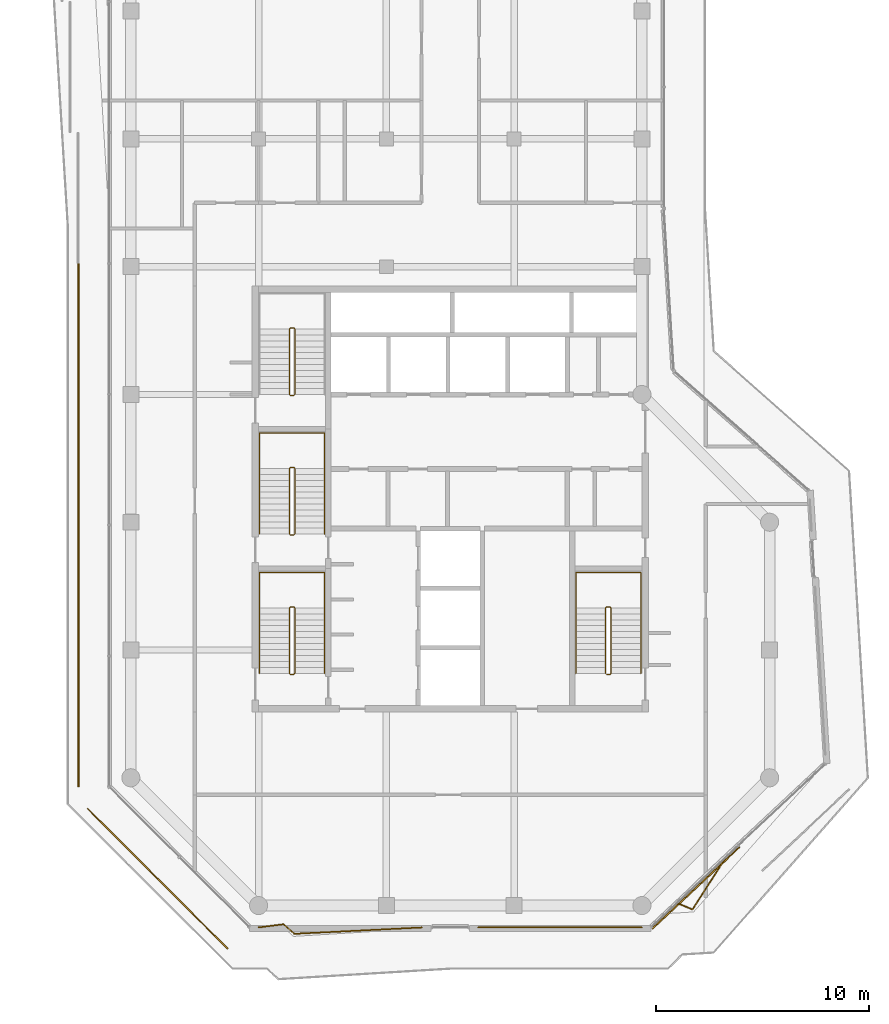
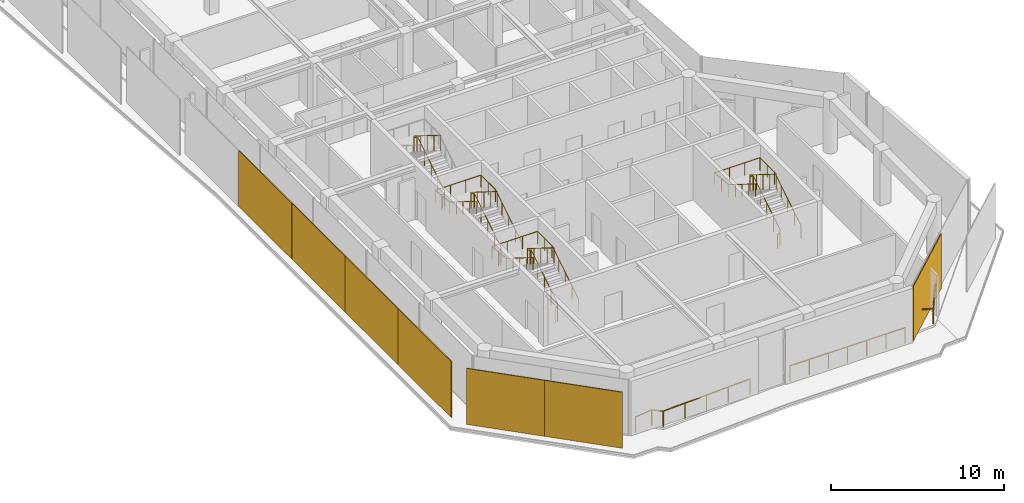
# One storey, part 20 of 21: 10 railings, 7 coverings.
"""IFC4 building model written with IfcOpenShell, lengths in metres."""

from ifc_helpers import new_model, si_unit, direction, frame, origin, origin_2d, place, context, subcontext, project, spatial, rectangle, circle, extrude, material, layer, layer_set, type_object, element, save


model = new_model("IFC4")

# Units and contexts
model_context = context("Model", 3, precision=1e-05, world=origin(), true_north=direction((0.0, 1.0)))
body_context = subcontext(model_context, "Body", "Model", "MODEL_VIEW")
ifc_project = project(units=[si_unit("LENGTHUNIT", "METRE"), si_unit("AREAUNIT", "SQUARE_METRE"), si_unit("VOLUMEUNIT", "CUBIC_METRE"), si_unit("PLANEANGLEUNIT", "RADIAN"), si_unit("MASSUNIT", "GRAM", prefix="KILO")], contexts=[model_context])

# Site, building, storey
site_placement = place(None, origin())
site = spatial("IfcSite", under=ifc_project, at=site_placement, CompositionType="ELEMENT")
building_placement = place(site_placement, origin())
building = spatial("IfcBuilding", under=site, at=building_placement, Name="Welwitschia Terrace Campus", CompositionType="ELEMENT")
storey_placement = place(building_placement, frame((0.0, 0.0, 302.0)))
storey = spatial("IfcBuildingStorey", under=building, at=storey_placement, Name="L67", CompositionType="ELEMENT", Elevation=302.0)

# Coverings
ifc_material_1 = material(Name="Bronze mesh aluminium screen", Category="aluminium")
ifc_layer = layer(ifc_material_1, 0.06005859375)
ifc_layer_set = layer_set([ifc_layer], Name="Bronze mesh aluminium screen")
covering_type = type_object("IfcCoveringType", Name="Bronze screen 60", PredefinedType="USERDEFINED", material=ifc_layer_set)
for number, where, z_axis, x_axis, name in (
    (1, (-0.390380859375, -1.088623046875, 0.0), (0.0, 0.0, 1.0), (0.707106781187, -0.707106781187, 0.0), "Screen L67.0.0"),
    (2, (2.911376953125, -4.390380859375, 0.0), (0.0, 0.0, 1.0), (0.707106781187, -0.707106781187, 0.0), "Screen L67.0.1"),
):
    element("IfcCovering", number, at=place(storey_placement, frame(where, z_axis=z_axis, x_axis=x_axis)), inside=storey, type_object=covering_type, Name=name, ObjectType="SCREEN", PredefinedType="USERDEFINED", context=body_context, shape_type="SweptSolid", body=[
        extrude(rectangle(XDim=4.6494140625, YDim=0.06005859375, at=origin_2d()), origin(), (0.0, 0.0, 1.0), 3.949951171875),
    ])
covering_placement = place(storey_placement, frame((26.540283203125, -3.172119140625, 0.0), z_axis=(0.0, 0.0, 1.0), x_axis=(0.729574100684, 0.68390177044, 0.0)))
element("IfcCovering", 3, at=covering_placement, inside=storey, type_object=covering_type, Name="Screen L67.2.0", ObjectType="SCREEN", PredefinedType="USERDEFINED", context=body_context, shape_type="SweptSolid", body=[
    extrude(rectangle(XDim=5.605712890625, YDim=0.06005859375, at=origin_2d()), origin(), (0.0, 0.0, 1.0), 3.85009765625),
])
for number, where, z_axis, x_axis, name in (
    (4, (-2.4599609375, 23.083251953125, 0.0), (0.0, 0.0, 1.0), (0.0, -1.0, 0.0), "Screen L67.8.6"),
    (5, (-2.4599609375, 16.9375, 0.0), (0.0, 0.0, 1.0), (0.0, -1.0, 0.0), "Screen L67.8.7"),
    (6, (-2.4599609375, 10.7919921875, 0.0), (0.0, 0.0, 1.0), (0.0, -1.0, 0.0), "Screen L67.8.8"),
    (7, (-2.4599609375, 4.646240234375, 0.0), (0.0, 0.0, 1.0), (0.0, -1.0, 0.0), "Screen L67.8.9"),
):
    element("IfcCovering", number, at=place(storey_placement, frame(where, z_axis=z_axis, x_axis=x_axis)), inside=storey, type_object=covering_type, Name=name, ObjectType="SCREEN", PredefinedType="USERDEFINED", context=body_context, shape_type="SweptSolid", body=[
        extrude(rectangle(XDim=6.125732421875, YDim=0.06005859375, at=origin_2d()), origin(), (0.0, 0.0, 1.0), 3.949951171875),
    ])

# Railings
ifc_material_2 = material(Name="Stainless steel grade 316", Category="steel")
railing_type_1 = type_object("IfcRailingType", Name="Guard 1100", PredefinedType="GUARDRAIL", material=ifc_material_2)
railing_1_placement = place(storey_placement, frame((13.65576171875, -5.030029296875, 0.0)))
element("IfcRailing", 8, at=railing_1_placement, inside=storey, type_object=railing_type_1, Name="Guard floor edge L67.2", PredefinedType="GUARDRAIL", context=body_context, shape_type="SweptSolid", body=[
    extrude(circle(Radius=0.02392578125, at=origin_2d()), frame((0.0, 0.0, 1.076171875), z_axis=(-0.998767459479, -0.049634281365, 0.0), x_axis=(0.049634281365, -0.998767459479, 0.0)), (0.0, 0.0, 1.0), 5.981201171875),
    extrude(circle(Radius=0.02392578125, at=origin_2d()), frame((-5.973876953125, -0.296875, 1.076171875), z_axis=(-0.748865286221, 0.662722251847, 0.0), x_axis=(-0.662722251847, -0.748865286221, 0.0)), (0.0, 0.0, 1.0), 0.674560546875),
    extrude(circle(Radius=0.02392578125, at=origin_2d()), frame((-6.47900390625, 0.150146484375, 1.076171875), z_axis=(-0.991997444221, -0.126257952855, 0.0), x_axis=(0.126257952855, -0.991997444221, 0.0)), (0.0, 0.0, 1.0), 1.189208984375),
    extrude(circle(Radius=0.02099609375, at=origin_2d()), origin(), (0.0, 0.0, 1.0), 1.052001953125),
    extrude(circle(Radius=0.02099609375, at=origin_2d()), frame((-1.493408203125, -0.07421875, 0.0)), (0.0, 0.0, 1.0), 1.052001953125),
    extrude(circle(Radius=0.02099609375, at=origin_2d()), frame((-2.98681640625, -0.1484375, 0.0)), (0.0, 0.0, 1.0), 1.052001953125),
    extrude(circle(Radius=0.02099609375, at=origin_2d()), frame((-4.48046875, -0.22265625, 0.0)), (0.0, 0.0, 1.0), 1.052001953125),
    extrude(circle(Radius=0.02099609375, at=origin_2d()), frame((-5.973876953125, -0.296875, 0.0)), (0.0, 0.0, 1.0), 1.052001953125),
    extrude(circle(Radius=0.02099609375, at=origin_2d()), frame((-6.47900390625, 0.150146484375, 0.0)), (0.0, 0.0, 1.0), 1.052001953125),
    extrude(circle(Radius=0.02099609375, at=origin_2d()), frame((-7.65869140625, 0.0, 0.0)), (0.0, 0.0, 1.0), 1.052001953125),
])
railing_2_placement = place(storey_placement, frame((24.002685546875, -5.030029296875, 0.0)))
element("IfcRailing", 9, at=railing_2_placement, inside=storey, type_object=railing_type_1, Name="Guard floor edge L67.4", PredefinedType="GUARDRAIL", context=body_context, shape_type="SweptSolid", body=[
    extrude(circle(Radius=0.02392578125, at=origin_2d()), frame((0.0, 0.0, 1.076171875), z_axis=(-1.0, 0.0, 0.0), x_axis=(0.0, -1.0, 0.0)), (0.0, 0.0, 1.0), 7.678955078125),
    extrude(circle(Radius=0.02099609375, at=origin_2d()), origin(), (0.0, 0.0, 1.0), 1.052001953125),
    extrude(circle(Radius=0.02099609375, at=origin_2d()), frame((-1.27978515625, 0.0, 0.0)), (0.0, 0.0, 1.0), 1.052001953125),
    extrude(circle(Radius=0.02099609375, at=origin_2d()), frame((-2.5595703125, 0.0, 0.0)), (0.0, 0.0, 1.0), 1.052001953125),
    extrude(circle(Radius=0.02099609375, at=origin_2d()), frame((-3.83935546875, 0.0, 0.0)), (0.0, 0.0, 1.0), 1.052001953125),
    extrude(circle(Radius=0.02099609375, at=origin_2d()), frame((-5.119384765625, 0.0, 0.0)), (0.0, 0.0, 1.0), 1.052001953125),
    extrude(circle(Radius=0.02099609375, at=origin_2d()), frame((-6.399169921875, 0.0, 0.0)), (0.0, 0.0, 1.0), 1.052001953125),
    extrude(circle(Radius=0.02099609375, at=origin_2d()), frame((-7.678955078125, 0.0, 0.0)), (0.0, 0.0, 1.0), 1.052001953125),
])
railing_3_placement = place(storey_placement, frame((27.956298828125, -1.72119140625, 0.0)))
element("IfcRailing", 10, at=railing_3_placement, inside=storey, type_object=railing_type_1, Name="Guard floor edge L67.6", PredefinedType="GUARDRAIL", context=body_context, shape_type="SweptSolid", body=[
    extrude(circle(Radius=0.02392578125, at=origin_2d()), frame((0.0, 0.0, 1.076171875), z_axis=(-0.540057307868, -0.841628245853, 0.0), x_axis=(0.841628245853, -0.540057307868, 0.0)), (0.0, 0.0, 1.0), 2.92578125),
    extrude(circle(Radius=0.02392578125, at=origin_2d()), frame((-1.580078125, -2.46240234375, 1.076171875), z_axis=(-0.922412629322, 0.386205827594, 0.0), x_axis=(-0.386205827594, -0.922412629322, 0.0)), (0.0, 0.0, 1.0), 0.784423828125),
    extrude(circle(Radius=0.02099609375, at=origin_2d()), origin(), (0.0, 0.0, 1.0), 1.052001953125),
    extrude(circle(Radius=0.02099609375, at=origin_2d()), frame((-0.7900390625, -1.231201171875, 0.0)), (0.0, 0.0, 1.0), 1.052001953125),
    extrude(circle(Radius=0.02099609375, at=origin_2d()), frame((-1.580078125, -2.46240234375, 0.0)), (0.0, 0.0, 1.0), 1.052001953125),
    extrude(circle(Radius=0.02099609375, at=origin_2d()), frame((-2.3037109375, -2.159423828125, 0.0)), (0.0, 0.0, 1.0), 1.052001953125),
])
ifc_material_3 = material(Name="Steel S355", Category="steel")
railing_type_2 = type_object("IfcRailingType", Name="Stair guard 1100", PredefinedType="GUARDRAIL", material=ifc_material_3)
railing_4_placement = place(storey_placement, frame((7.5, 6.85009765625, 0.0)))
element("IfcRailing", 11, at=railing_4_placement, inside=storey, type_object=railing_type_2, Name="L67 S1 stair guard", PredefinedType="GUARDRAIL", context=body_context, shape_type="SweptSolid", body=[
    extrude(circle(Radius=0.02392578125, at=origin_2d()), frame((0.0, 0.0, 1.076171875), z_axis=(1.0, 0.0, 0.0), x_axis=(0.0, 1.0, 0.0)), (0.0, 0.0, 1.0), 0.14990234375),
    extrude(circle(Radius=0.02392578125, at=origin_2d()), frame((0.14990234375, 0.0, 1.076171875), z_axis=(0.265155923931, 0.263862480399, 0.927399011991), x_axis=(-0.705375805398, 0.708833529934, 0.0)), (0.0, 0.0, 1.0), 0.188720703125),
    extrude(circle(Radius=0.02392578125, at=origin_2d()), frame((0.199951171875, 0.0498046875, 1.2509765625), z_axis=(0.0, 0.847998304005, 0.529998940003), x_axis=(-1.0, 0.0, 0.0)), (0.0, 0.0, 1.0), 3.632080078125),
    extrude(circle(Radius=0.02392578125, at=origin_2d()), frame((0.199951171875, 3.1298828125, 3.17626953125), z_axis=(-0.707106781187, 0.707106781187, 0.0), x_axis=(-0.707106781187, -0.707106781187, 0.0)), (0.0, 0.0, 1.0), 0.07080078125),
    extrude(circle(Radius=0.02392578125, at=origin_2d()), frame((0.14990234375, 3.179931640625, 3.17626953125), z_axis=(-1.0, 0.0, 0.0), x_axis=(0.0, -1.0, 0.0)), (0.0, 0.0, 1.0), 0.14990234375),
    extrude(circle(Radius=0.02392578125, at=origin_2d()), frame((0.0, 3.179931640625, 3.17626953125), z_axis=(-0.265383341853, -0.265383341853, 0.926899867156), x_axis=(0.707106781187, -0.707106781187, 0.0)), (0.0, 0.0, 1.0), 0.1884765625),
    extrude(circle(Radius=0.02392578125, at=origin_2d()), frame((-0.050048828125, 3.1298828125, 3.35107421875), z_axis=(0.0, -0.847998304005, 0.529998940003), x_axis=(1.0, 0.0, 0.0)), (0.0, 0.0, 1.0), 3.632080078125),
    extrude(circle(Radius=0.02099609375, at=origin_2d()), origin(), (0.0, 0.0, 1.0), 1.052001953125),
    extrude(circle(Radius=0.02099609375, at=origin_2d()), frame((0.14990234375, 0.0, 0.0)), (0.0, 0.0, 1.0), 1.052001953125),
    extrude(circle(Radius=0.02099609375, at=origin_2d()), frame((0.199951171875, 0.0498046875, 0.175048828125)), (0.0, 0.0, 1.0), 1.052001953125),
    extrude(circle(Radius=0.02099609375, at=origin_2d()), frame((0.199951171875, 0.81982421875, 0.65625)), (0.0, 0.0, 1.0), 1.052001953125),
    extrude(circle(Radius=0.02099609375, at=origin_2d()), frame((0.199951171875, 1.58984375, 1.1376953125)), (0.0, 0.0, 1.0), 1.052001953125),
    extrude(circle(Radius=0.02099609375, at=origin_2d()), frame((0.199951171875, 2.35986328125, 1.618896484375)), (0.0, 0.0, 1.0), 1.052001953125),
    extrude(circle(Radius=0.02099609375, at=origin_2d()), frame((0.199951171875, 3.1298828125, 2.10009765625)), (0.0, 0.0, 1.0), 1.052001953125),
    extrude(circle(Radius=0.02099609375, at=origin_2d()), frame((0.14990234375, 3.179931640625, 2.10009765625)), (0.0, 0.0, 1.0), 1.052001953125),
    extrude(circle(Radius=0.02099609375, at=origin_2d()), frame((0.0, 3.179931640625, 2.10009765625)), (0.0, 0.0, 1.0), 1.052001953125),
    extrude(circle(Radius=0.02099609375, at=origin_2d()), frame((-0.050048828125, 3.1298828125, 2.27490234375)), (0.0, 0.0, 1.0), 1.052001953125),
    extrude(circle(Radius=0.02099609375, at=origin_2d()), frame((-0.050048828125, 2.35986328125, 2.756103515625)), (0.0, 0.0, 1.0), 1.052001953125),
    extrude(circle(Radius=0.02099609375, at=origin_2d()), frame((-0.050048828125, 1.58984375, 3.2373046875)), (0.0, 0.0, 1.0), 1.052001953125),
    extrude(circle(Radius=0.02099609375, at=origin_2d()), frame((-0.050048828125, 0.81982421875, 3.71875)), (0.0, 0.0, 1.0), 1.052001953125),
    extrude(circle(Radius=0.02099609375, at=origin_2d()), frame((-0.050048828125, 0.0498046875, 4.199951171875)), (0.0, 0.0, 1.0), 1.052001953125),
])
railing_5_placement = place(storey_placement, frame((7.5, 13.39990234375, 0.0)))
element("IfcRailing", 12, at=railing_5_placement, inside=storey, type_object=railing_type_2, Name="L67 S3 stair guard", PredefinedType="GUARDRAIL", context=body_context, shape_type="SweptSolid", body=[
    extrude(circle(Radius=0.02392578125, at=origin_2d()), frame((0.0, 0.0, 1.076171875), z_axis=(1.0, 0.0, 0.0), x_axis=(0.0, 1.0, 0.0)), (0.0, 0.0, 1.0), 0.14990234375),
    extrude(circle(Radius=0.02392578125, at=origin_2d()), frame((0.14990234375, 0.0, 1.076171875), z_axis=(0.265065253269, 0.265065253269, 0.927081885822), x_axis=(-0.707106781187, 0.707106781187, 0.0)), (0.0, 0.0, 1.0), 0.188720703125),
    extrude(circle(Radius=0.02392578125, at=origin_2d()), frame((0.199951171875, 0.050048828125, 1.2509765625), z_axis=(0.0, 0.847998304005, 0.529998940003), x_axis=(-1.0, 0.0, 0.0)), (0.0, 0.0, 1.0), 3.632080078125),
    extrude(circle(Radius=0.02392578125, at=origin_2d()), frame((0.199951171875, 3.130126953125, 3.17626953125), z_axis=(-0.707106781187, 0.707106781187, 0.0), x_axis=(-0.707106781187, -0.707106781187, 0.0)), (0.0, 0.0, 1.0), 0.07080078125),
    extrude(circle(Radius=0.02392578125, at=origin_2d()), frame((0.14990234375, 3.18017578125, 3.17626953125), z_axis=(-1.0, 0.0, 0.0), x_axis=(0.0, -1.0, 0.0)), (0.0, 0.0, 1.0), 0.14990234375),
    extrude(circle(Radius=0.02392578125, at=origin_2d()), frame((0.0, 3.18017578125, 3.17626953125), z_axis=(-0.265383341853, -0.265383341853, 0.926899867156), x_axis=(0.707106781187, -0.707106781187, 0.0)), (0.0, 0.0, 1.0), 0.1884765625),
    extrude(circle(Radius=0.02392578125, at=origin_2d()), frame((-0.050048828125, 3.130126953125, 3.35107421875), z_axis=(0.0, -0.847998304005, 0.529998940003), x_axis=(1.0, 0.0, 0.0)), (0.0, 0.0, 1.0), 3.632080078125),
    extrude(circle(Radius=0.02099609375, at=origin_2d()), origin(), (0.0, 0.0, 1.0), 1.052001953125),
    extrude(circle(Radius=0.02099609375, at=origin_2d()), frame((0.14990234375, 0.0, 0.0)), (0.0, 0.0, 1.0), 1.052001953125),
    extrude(circle(Radius=0.02099609375, at=origin_2d()), frame((0.199951171875, 0.050048828125, 0.175048828125)), (0.0, 0.0, 1.0), 1.052001953125),
    extrude(circle(Radius=0.02099609375, at=origin_2d()), frame((0.199951171875, 0.820068359375, 0.65625)), (0.0, 0.0, 1.0), 1.052001953125),
    extrude(circle(Radius=0.02099609375, at=origin_2d()), frame((0.199951171875, 1.590087890625, 1.1376953125)), (0.0, 0.0, 1.0), 1.052001953125),
    extrude(circle(Radius=0.02099609375, at=origin_2d()), frame((0.199951171875, 2.360107421875, 1.618896484375)), (0.0, 0.0, 1.0), 1.052001953125),
    extrude(circle(Radius=0.02099609375, at=origin_2d()), frame((0.199951171875, 3.130126953125, 2.10009765625)), (0.0, 0.0, 1.0), 1.052001953125),
    extrude(circle(Radius=0.02099609375, at=origin_2d()), frame((0.14990234375, 3.18017578125, 2.10009765625)), (0.0, 0.0, 1.0), 1.052001953125),
    extrude(circle(Radius=0.02099609375, at=origin_2d()), frame((0.0, 3.18017578125, 2.10009765625)), (0.0, 0.0, 1.0), 1.052001953125),
    extrude(circle(Radius=0.02099609375, at=origin_2d()), frame((-0.050048828125, 3.130126953125, 2.27490234375)), (0.0, 0.0, 1.0), 1.052001953125),
    extrude(circle(Radius=0.02099609375, at=origin_2d()), frame((-0.050048828125, 2.360107421875, 2.756103515625)), (0.0, 0.0, 1.0), 1.052001953125),
    extrude(circle(Radius=0.02099609375, at=origin_2d()), frame((-0.050048828125, 1.590087890625, 3.2373046875)), (0.0, 0.0, 1.0), 1.052001953125),
    extrude(circle(Radius=0.02099609375, at=origin_2d()), frame((-0.050048828125, 0.820068359375, 3.71875)), (0.0, 0.0, 1.0), 1.052001953125),
    extrude(circle(Radius=0.02099609375, at=origin_2d()), frame((-0.050048828125, 0.050048828125, 4.199951171875)), (0.0, 0.0, 1.0), 1.052001953125),
])
railing_6_placement = place(storey_placement, frame((7.5, 19.949951171875, 0.0)))
element("IfcRailing", 13, at=railing_6_placement, inside=storey, type_object=railing_type_2, Name="L67 S4 stair guard", PredefinedType="GUARDRAIL", context=body_context, shape_type="SweptSolid", body=[
    extrude(circle(Radius=0.02392578125, at=origin_2d()), frame((0.0, 0.0, 1.076171875), z_axis=(1.0, 0.0, 0.0), x_axis=(0.0, 1.0, 0.0)), (0.0, 0.0, 1.0), 0.14990234375),
    extrude(circle(Radius=0.02392578125, at=origin_2d()), frame((0.14990234375, 0.0, 1.076171875), z_axis=(0.265065253269, 0.265065253269, 0.927081885822), x_axis=(-0.707106781187, 0.707106781187, 0.0)), (0.0, 0.0, 1.0), 0.188720703125),
    extrude(circle(Radius=0.02392578125, at=origin_2d()), frame((0.199951171875, 0.050048828125, 1.2509765625), z_axis=(0.0, 0.847998304005, 0.529998940003), x_axis=(-1.0, 0.0, 0.0)), (0.0, 0.0, 1.0), 3.632080078125),
    extrude(circle(Radius=0.02392578125, at=origin_2d()), frame((0.199951171875, 3.130126953125, 3.17626953125), z_axis=(-0.708833529934, 0.705375805398, 0.0), x_axis=(-0.705375805398, -0.708833529934, 0.0)), (0.0, 0.0, 1.0), 0.070556640625),
    extrude(circle(Radius=0.02392578125, at=origin_2d()), frame((0.14990234375, 3.179931640625, 3.17626953125), z_axis=(-1.0, 0.0, 0.0), x_axis=(0.0, -1.0, 0.0)), (0.0, 0.0, 1.0), 0.14990234375),
    extrude(circle(Radius=0.02392578125, at=origin_2d()), frame((0.0, 3.179931640625, 3.17626953125), z_axis=(-0.265474339444, -0.264179342666, 0.927217692888), x_axis=(0.705375805398, -0.708833529934, 0.0)), (0.0, 0.0, 1.0), 0.1884765625),
    extrude(circle(Radius=0.02392578125, at=origin_2d()), frame((-0.050048828125, 3.130126953125, 3.35107421875), z_axis=(0.0, -0.847998304005, 0.529998940003), x_axis=(1.0, 0.0, 0.0)), (0.0, 0.0, 1.0), 3.632080078125),
    extrude(circle(Radius=0.02099609375, at=origin_2d()), origin(), (0.0, 0.0, 1.0), 1.052001953125),
    extrude(circle(Radius=0.02099609375, at=origin_2d()), frame((0.14990234375, 0.0, 0.0)), (0.0, 0.0, 1.0), 1.052001953125),
    extrude(circle(Radius=0.02099609375, at=origin_2d()), frame((0.199951171875, 0.050048828125, 0.175048828125)), (0.0, 0.0, 1.0), 1.052001953125),
    extrude(circle(Radius=0.02099609375, at=origin_2d()), frame((0.199951171875, 0.820068359375, 0.65625)), (0.0, 0.0, 1.0), 1.052001953125),
    extrude(circle(Radius=0.02099609375, at=origin_2d()), frame((0.199951171875, 1.590087890625, 1.1376953125)), (0.0, 0.0, 1.0), 1.052001953125),
    extrude(circle(Radius=0.02099609375, at=origin_2d()), frame((0.199951171875, 2.360107421875, 1.618896484375)), (0.0, 0.0, 1.0), 1.052001953125),
    extrude(circle(Radius=0.02099609375, at=origin_2d()), frame((0.199951171875, 3.130126953125, 2.10009765625)), (0.0, 0.0, 1.0), 1.052001953125),
    extrude(circle(Radius=0.02099609375, at=origin_2d()), frame((0.14990234375, 3.179931640625, 2.10009765625)), (0.0, 0.0, 1.0), 1.052001953125),
    extrude(circle(Radius=0.02099609375, at=origin_2d()), frame((0.0, 3.179931640625, 2.10009765625)), (0.0, 0.0, 1.0), 1.052001953125),
    extrude(circle(Radius=0.02099609375, at=origin_2d()), frame((-0.050048828125, 3.130126953125, 2.27490234375)), (0.0, 0.0, 1.0), 1.052001953125),
    extrude(circle(Radius=0.02099609375, at=origin_2d()), frame((-0.050048828125, 2.360107421875, 2.756103515625)), (0.0, 0.0, 1.0), 1.052001953125),
    extrude(circle(Radius=0.02099609375, at=origin_2d()), frame((-0.050048828125, 1.590087890625, 3.2373046875)), (0.0, 0.0, 1.0), 1.052001953125),
    extrude(circle(Radius=0.02099609375, at=origin_2d()), frame((-0.050048828125, 0.820068359375, 3.71875)), (0.0, 0.0, 1.0), 1.052001953125),
    extrude(circle(Radius=0.02099609375, at=origin_2d()), frame((-0.050048828125, 0.050048828125, 4.199951171875)), (0.0, 0.0, 1.0), 1.052001953125),
])
railing_7_placement = place(storey_placement, frame((22.35009765625, 6.85009765625, 0.0)))
element("IfcRailing", 14, at=railing_7_placement, inside=storey, type_object=railing_type_2, Name="L67 S2 stair guard", PredefinedType="GUARDRAIL", context=body_context, shape_type="SweptSolid", body=[
    extrude(circle(Radius=0.02392578125, at=origin_2d()), frame((0.0, 0.0, 1.076171875), z_axis=(1.0, 0.0, 0.0), x_axis=(0.0, 1.0, 0.0)), (0.0, 0.0, 1.0), 0.14990234375),
    extrude(circle(Radius=0.02392578125, at=origin_2d()), frame((0.14990234375, 0.0, 1.076171875), z_axis=(0.265155923931, 0.263862480399, 0.927399011991), x_axis=(-0.705375805398, 0.708833529934, 0.0)), (0.0, 0.0, 1.0), 0.188720703125),
    extrude(circle(Radius=0.02392578125, at=origin_2d()), frame((0.199951171875, 0.0498046875, 1.2509765625), z_axis=(0.0, 0.847998304005, 0.529998940003), x_axis=(-1.0, 0.0, 0.0)), (0.0, 0.0, 1.0), 3.632080078125),
    extrude(circle(Radius=0.02392578125, at=origin_2d()), frame((0.199951171875, 3.1298828125, 3.17626953125), z_axis=(-0.707106781187, 0.707106781187, 0.0), x_axis=(-0.707106781187, -0.707106781187, 0.0)), (0.0, 0.0, 1.0), 0.07080078125),
    extrude(circle(Radius=0.02392578125, at=origin_2d()), frame((0.14990234375, 3.179931640625, 3.17626953125), z_axis=(-1.0, 0.0, 0.0), x_axis=(0.0, -1.0, 0.0)), (0.0, 0.0, 1.0), 0.14990234375),
    extrude(circle(Radius=0.02392578125, at=origin_2d()), frame((0.0, 3.179931640625, 3.17626953125), z_axis=(-0.265383341853, -0.265383341853, 0.926899867156), x_axis=(0.707106781187, -0.707106781187, 0.0)), (0.0, 0.0, 1.0), 0.1884765625),
    extrude(circle(Radius=0.02392578125, at=origin_2d()), frame((-0.050048828125, 3.1298828125, 3.35107421875), z_axis=(0.0, -0.847998304005, 0.529998940003), x_axis=(1.0, 0.0, 0.0)), (0.0, 0.0, 1.0), 3.632080078125),
    extrude(circle(Radius=0.02099609375, at=origin_2d()), origin(), (0.0, 0.0, 1.0), 1.052001953125),
    extrude(circle(Radius=0.02099609375, at=origin_2d()), frame((0.14990234375, 0.0, 0.0)), (0.0, 0.0, 1.0), 1.052001953125),
    extrude(circle(Radius=0.02099609375, at=origin_2d()), frame((0.199951171875, 0.0498046875, 0.175048828125)), (0.0, 0.0, 1.0), 1.052001953125),
    extrude(circle(Radius=0.02099609375, at=origin_2d()), frame((0.199951171875, 0.81982421875, 0.65625)), (0.0, 0.0, 1.0), 1.052001953125),
    extrude(circle(Radius=0.02099609375, at=origin_2d()), frame((0.199951171875, 1.58984375, 1.1376953125)), (0.0, 0.0, 1.0), 1.052001953125),
    extrude(circle(Radius=0.02099609375, at=origin_2d()), frame((0.199951171875, 2.35986328125, 1.618896484375)), (0.0, 0.0, 1.0), 1.052001953125),
    extrude(circle(Radius=0.02099609375, at=origin_2d()), frame((0.199951171875, 3.1298828125, 2.10009765625)), (0.0, 0.0, 1.0), 1.052001953125),
    extrude(circle(Radius=0.02099609375, at=origin_2d()), frame((0.14990234375, 3.179931640625, 2.10009765625)), (0.0, 0.0, 1.0), 1.052001953125),
    extrude(circle(Radius=0.02099609375, at=origin_2d()), frame((0.0, 3.179931640625, 2.10009765625)), (0.0, 0.0, 1.0), 1.052001953125),
    extrude(circle(Radius=0.02099609375, at=origin_2d()), frame((-0.050048828125, 3.1298828125, 2.27490234375)), (0.0, 0.0, 1.0), 1.052001953125),
    extrude(circle(Radius=0.02099609375, at=origin_2d()), frame((-0.050048828125, 2.35986328125, 2.756103515625)), (0.0, 0.0, 1.0), 1.052001953125),
    extrude(circle(Radius=0.02099609375, at=origin_2d()), frame((-0.050048828125, 1.58984375, 3.2373046875)), (0.0, 0.0, 1.0), 1.052001953125),
    extrude(circle(Radius=0.02099609375, at=origin_2d()), frame((-0.050048828125, 0.81982421875, 3.71875)), (0.0, 0.0, 1.0), 1.052001953125),
    extrude(circle(Radius=0.02099609375, at=origin_2d()), frame((-0.050048828125, 0.0498046875, 4.199951171875)), (0.0, 0.0, 1.0), 1.052001953125),
])
ifc_material_4 = material(Name="Steel S355", Category="steel")
railing_type_3 = type_object("IfcRailingType", Name="Stair handrail 900", PredefinedType="HANDRAIL", material=ifc_material_4)
railing_8_placement = place(storey_placement, frame((9.10009765625, 6.89990234375, 0.175048828125)))
element("IfcRailing", 15, at=railing_8_placement, inside=storey, type_object=railing_type_3, Name="L67 S1 stair handrail", PredefinedType="HANDRAIL", context=body_context, shape_type="SweptSolid", body=[
    extrude(circle(Radius=0.02392578125, at=origin_2d()), frame((0.0, 0.0, 0.8759765625), z_axis=(0.0, 0.847998304005, 0.529998940003), x_axis=(-1.0, 0.0, 0.0)), (0.0, 0.0, 1.0), 3.632080078125),
    extrude(circle(Radius=0.02392578125, at=origin_2d()), frame((0.0, 3.080078125, 2.80078125), z_axis=(0.0, 1.0, 0.0), x_axis=(-1.0, 0.0, 0.0)), (0.0, 0.0, 1.0), 1.669921875),
    extrude(circle(Radius=0.02392578125, at=origin_2d()), frame((0.0, 4.75, 2.80078125), z_axis=(-1.0, 0.0, 0.0), x_axis=(0.0, -1.0, 0.0)), (0.0, 0.0, 1.0), 3.050048828125),
    extrude(circle(Radius=0.02392578125, at=origin_2d()), frame((-3.050048828125, 4.75, 2.80078125), z_axis=(0.0, -0.994565838508, 0.104109523446), x_axis=(1.0, 0.0, 0.0)), (0.0, 0.0, 1.0), 1.678955078125),
    extrude(circle(Radius=0.02392578125, at=origin_2d()), frame((-3.050048828125, 3.080078125, 2.9755859375), z_axis=(0.0, -0.847998304005, 0.529998940003), x_axis=(1.0, 0.0, 0.0)), (0.0, 0.0, 1.0), 3.632080078125),
    extrude(circle(Radius=0.02099609375, at=origin_2d()), origin(), (0.0, 0.0, 1.0), 0.851806640625),
    extrude(circle(Radius=0.02099609375, at=origin_2d()), frame((0.0, 0.77001953125, 0.481201171875)), (0.0, 0.0, 1.0), 0.851806640625),
    extrude(circle(Radius=0.02099609375, at=origin_2d()), frame((0.0, 1.5400390625, 0.96240234375)), (0.0, 0.0, 1.0), 0.851806640625),
    extrude(circle(Radius=0.02099609375, at=origin_2d()), frame((0.0, 2.31005859375, 1.44384765625)), (0.0, 0.0, 1.0), 0.851806640625),
    extrude(circle(Radius=0.02099609375, at=origin_2d()), frame((0.0, 3.080078125, 1.925048828125)), (0.0, 0.0, 1.0), 0.851806640625),
    extrude(circle(Radius=0.02099609375, at=origin_2d()), frame((0.0, 3.9150390625, 1.925048828125)), (0.0, 0.0, 1.0), 0.851806640625),
    extrude(circle(Radius=0.02099609375, at=origin_2d()), frame((0.0, 4.75, 1.925048828125)), (0.0, 0.0, 1.0), 0.851806640625),
    extrude(circle(Radius=0.02099609375, at=origin_2d()), frame((-1.0166015625, 4.75, 1.925048828125)), (0.0, 0.0, 1.0), 0.851806640625),
    extrude(circle(Radius=0.02099609375, at=origin_2d()), frame((-2.033447265625, 4.75, 1.925048828125)), (0.0, 0.0, 1.0), 0.851806640625),
    extrude(circle(Radius=0.02099609375, at=origin_2d()), frame((-3.050048828125, 4.75, 1.925048828125)), (0.0, 0.0, 1.0), 0.851806640625),
    extrude(circle(Radius=0.02099609375, at=origin_2d()), frame((-3.050048828125, 3.9150390625, 2.012451171875)), (0.0, 0.0, 1.0), 0.851806640625),
    extrude(circle(Radius=0.02099609375, at=origin_2d()), frame((-3.050048828125, 3.080078125, 2.099853515625)), (0.0, 0.0, 1.0), 0.851806640625),
    extrude(circle(Radius=0.02099609375, at=origin_2d()), frame((-3.050048828125, 2.31005859375, 2.5810546875)), (0.0, 0.0, 1.0), 0.851806640625),
    extrude(circle(Radius=0.02099609375, at=origin_2d()), frame((-3.050048828125, 1.5400390625, 3.0625)), (0.0, 0.0, 1.0), 0.851806640625),
    extrude(circle(Radius=0.02099609375, at=origin_2d()), frame((-3.050048828125, 0.77001953125, 3.543701171875)), (0.0, 0.0, 1.0), 0.851806640625),
    extrude(circle(Radius=0.02099609375, at=origin_2d()), frame((-3.050048828125, 0.0, 4.02490234375)), (0.0, 0.0, 1.0), 0.851806640625),
])
railing_9_placement = place(storey_placement, frame((9.10009765625, 13.449951171875, 0.175048828125)))
element("IfcRailing", 16, at=railing_9_placement, inside=storey, type_object=railing_type_3, Name="L67 S3 stair handrail", PredefinedType="HANDRAIL", context=body_context, shape_type="SweptSolid", body=[
    extrude(circle(Radius=0.02392578125, at=origin_2d()), frame((0.0, 0.0, 0.8759765625), z_axis=(0.0, 0.847998304005, 0.529998940003), x_axis=(-1.0, 0.0, 0.0)), (0.0, 0.0, 1.0), 3.632080078125),
    extrude(circle(Radius=0.02392578125, at=origin_2d()), frame((0.0, 3.080078125, 2.80078125), z_axis=(0.0, 1.0, 0.0), x_axis=(-1.0, 0.0, 0.0)), (0.0, 0.0, 1.0), 1.669921875),
    extrude(circle(Radius=0.02392578125, at=origin_2d()), frame((0.0, 4.75, 2.80078125), z_axis=(-1.0, 0.0, 0.0), x_axis=(0.0, -1.0, 0.0)), (0.0, 0.0, 1.0), 3.050048828125),
    extrude(circle(Radius=0.02392578125, at=origin_2d()), frame((-3.050048828125, 4.75, 2.80078125), z_axis=(0.0, -0.994565838508, 0.104109523446), x_axis=(1.0, 0.0, 0.0)), (0.0, 0.0, 1.0), 1.678955078125),
    extrude(circle(Radius=0.02392578125, at=origin_2d()), frame((-3.050048828125, 3.080078125, 2.9755859375), z_axis=(0.0, -0.847998304005, 0.529998940003), x_axis=(1.0, 0.0, 0.0)), (0.0, 0.0, 1.0), 3.632080078125),
    extrude(circle(Radius=0.02099609375, at=origin_2d()), origin(), (0.0, 0.0, 1.0), 0.851806640625),
    extrude(circle(Radius=0.02099609375, at=origin_2d()), frame((0.0, 0.77001953125, 0.481201171875)), (0.0, 0.0, 1.0), 0.851806640625),
    extrude(circle(Radius=0.02099609375, at=origin_2d()), frame((0.0, 1.5400390625, 0.96240234375)), (0.0, 0.0, 1.0), 0.851806640625),
    extrude(circle(Radius=0.02099609375, at=origin_2d()), frame((0.0, 2.31005859375, 1.44384765625)), (0.0, 0.0, 1.0), 0.851806640625),
    extrude(circle(Radius=0.02099609375, at=origin_2d()), frame((0.0, 3.080078125, 1.925048828125)), (0.0, 0.0, 1.0), 0.851806640625),
    extrude(circle(Radius=0.02099609375, at=origin_2d()), frame((0.0, 3.9150390625, 1.925048828125)), (0.0, 0.0, 1.0), 0.851806640625),
    extrude(circle(Radius=0.02099609375, at=origin_2d()), frame((0.0, 4.75, 1.925048828125)), (0.0, 0.0, 1.0), 0.851806640625),
    extrude(circle(Radius=0.02099609375, at=origin_2d()), frame((-1.0166015625, 4.75, 1.925048828125)), (0.0, 0.0, 1.0), 0.851806640625),
    extrude(circle(Radius=0.02099609375, at=origin_2d()), frame((-2.033447265625, 4.75, 1.925048828125)), (0.0, 0.0, 1.0), 0.851806640625),
    extrude(circle(Radius=0.02099609375, at=origin_2d()), frame((-3.050048828125, 4.75, 1.925048828125)), (0.0, 0.0, 1.0), 0.851806640625),
    extrude(circle(Radius=0.02099609375, at=origin_2d()), frame((-3.050048828125, 3.9150390625, 2.012451171875)), (0.0, 0.0, 1.0), 0.851806640625),
    extrude(circle(Radius=0.02099609375, at=origin_2d()), frame((-3.050048828125, 3.080078125, 2.099853515625)), (0.0, 0.0, 1.0), 0.851806640625),
    extrude(circle(Radius=0.02099609375, at=origin_2d()), frame((-3.050048828125, 2.31005859375, 2.5810546875)), (0.0, 0.0, 1.0), 0.851806640625),
    extrude(circle(Radius=0.02099609375, at=origin_2d()), frame((-3.050048828125, 1.5400390625, 3.0625)), (0.0, 0.0, 1.0), 0.851806640625),
    extrude(circle(Radius=0.02099609375, at=origin_2d()), frame((-3.050048828125, 0.77001953125, 3.543701171875)), (0.0, 0.0, 1.0), 0.851806640625),
    extrude(circle(Radius=0.02099609375, at=origin_2d()), frame((-3.050048828125, 0.0, 4.02490234375)), (0.0, 0.0, 1.0), 0.851806640625),
])
railing_10_placement = place(storey_placement, frame((23.949951171875, 6.89990234375, 0.175048828125)))
element("IfcRailing", 17, at=railing_10_placement, inside=storey, type_object=railing_type_3, Name="L67 S2 stair handrail", PredefinedType="HANDRAIL", context=body_context, shape_type="SweptSolid", body=[
    extrude(circle(Radius=0.02392578125, at=origin_2d()), frame((0.0, 0.0, 0.8759765625), z_axis=(0.0, 0.847998304005, 0.529998940003), x_axis=(-1.0, 0.0, 0.0)), (0.0, 0.0, 1.0), 3.632080078125),
    extrude(circle(Radius=0.02392578125, at=origin_2d()), frame((0.0, 3.080078125, 2.80078125), z_axis=(0.0, 1.0, 0.0), x_axis=(-1.0, 0.0, 0.0)), (0.0, 0.0, 1.0), 1.669921875),
    extrude(circle(Radius=0.02392578125, at=origin_2d()), frame((0.0, 4.75, 2.80078125), z_axis=(-1.0, 0.0, 0.0), x_axis=(0.0, -1.0, 0.0)), (0.0, 0.0, 1.0), 3.050048828125),
    extrude(circle(Radius=0.02392578125, at=origin_2d()), frame((-3.050048828125, 4.75, 2.80078125), z_axis=(0.0, -0.994565838508, 0.104109523446), x_axis=(1.0, 0.0, 0.0)), (0.0, 0.0, 1.0), 1.678955078125),
    extrude(circle(Radius=0.02392578125, at=origin_2d()), frame((-3.050048828125, 3.080078125, 2.9755859375), z_axis=(0.0, -0.847998304005, 0.529998940003), x_axis=(1.0, 0.0, 0.0)), (0.0, 0.0, 1.0), 3.632080078125),
    extrude(circle(Radius=0.02099609375, at=origin_2d()), origin(), (0.0, 0.0, 1.0), 0.851806640625),
    extrude(circle(Radius=0.02099609375, at=origin_2d()), frame((0.0, 0.77001953125, 0.481201171875)), (0.0, 0.0, 1.0), 0.851806640625),
    extrude(circle(Radius=0.02099609375, at=origin_2d()), frame((0.0, 1.5400390625, 0.96240234375)), (0.0, 0.0, 1.0), 0.851806640625),
    extrude(circle(Radius=0.02099609375, at=origin_2d()), frame((0.0, 2.31005859375, 1.44384765625)), (0.0, 0.0, 1.0), 0.851806640625),
    extrude(circle(Radius=0.02099609375, at=origin_2d()), frame((0.0, 3.080078125, 1.925048828125)), (0.0, 0.0, 1.0), 0.851806640625),
    extrude(circle(Radius=0.02099609375, at=origin_2d()), frame((0.0, 3.9150390625, 1.925048828125)), (0.0, 0.0, 1.0), 0.851806640625),
    extrude(circle(Radius=0.02099609375, at=origin_2d()), frame((0.0, 4.75, 1.925048828125)), (0.0, 0.0, 1.0), 0.851806640625),
    extrude(circle(Radius=0.02099609375, at=origin_2d()), frame((-1.0166015625, 4.75, 1.925048828125)), (0.0, 0.0, 1.0), 0.851806640625),
    extrude(circle(Radius=0.02099609375, at=origin_2d()), frame((-2.033447265625, 4.75, 1.925048828125)), (0.0, 0.0, 1.0), 0.851806640625),
    extrude(circle(Radius=0.02099609375, at=origin_2d()), frame((-3.050048828125, 4.75, 1.925048828125)), (0.0, 0.0, 1.0), 0.851806640625),
    extrude(circle(Radius=0.02099609375, at=origin_2d()), frame((-3.050048828125, 3.9150390625, 2.012451171875)), (0.0, 0.0, 1.0), 0.851806640625),
    extrude(circle(Radius=0.02099609375, at=origin_2d()), frame((-3.050048828125, 3.080078125, 2.099853515625)), (0.0, 0.0, 1.0), 0.851806640625),
    extrude(circle(Radius=0.02099609375, at=origin_2d()), frame((-3.050048828125, 2.31005859375, 2.5810546875)), (0.0, 0.0, 1.0), 0.851806640625),
    extrude(circle(Radius=0.02099609375, at=origin_2d()), frame((-3.050048828125, 1.5400390625, 3.0625)), (0.0, 0.0, 1.0), 0.851806640625),
    extrude(circle(Radius=0.02099609375, at=origin_2d()), frame((-3.050048828125, 0.77001953125, 3.543701171875)), (0.0, 0.0, 1.0), 0.851806640625),
    extrude(circle(Radius=0.02099609375, at=origin_2d()), frame((-3.050048828125, 0.0, 4.02490234375)), (0.0, 0.0, 1.0), 0.851806640625),
])

save(model, "model.ifc")
